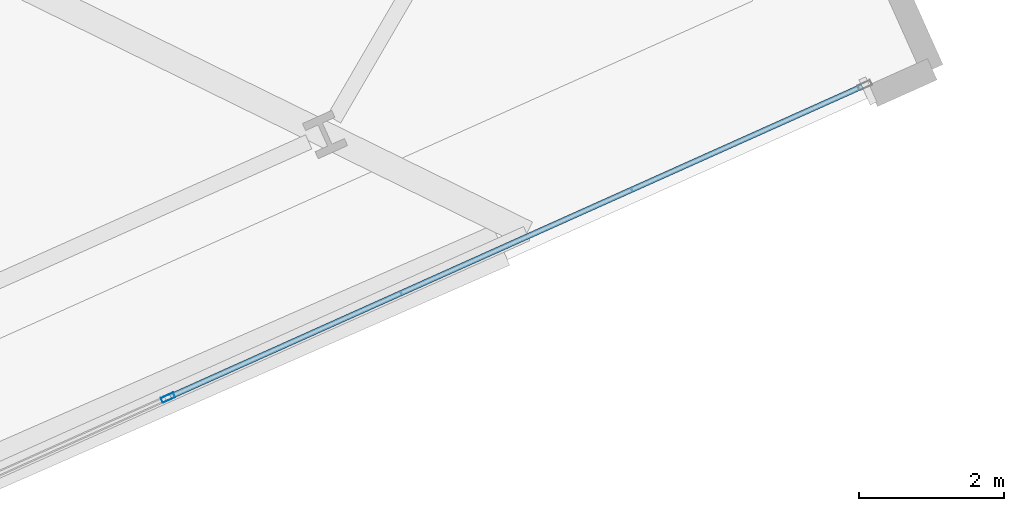
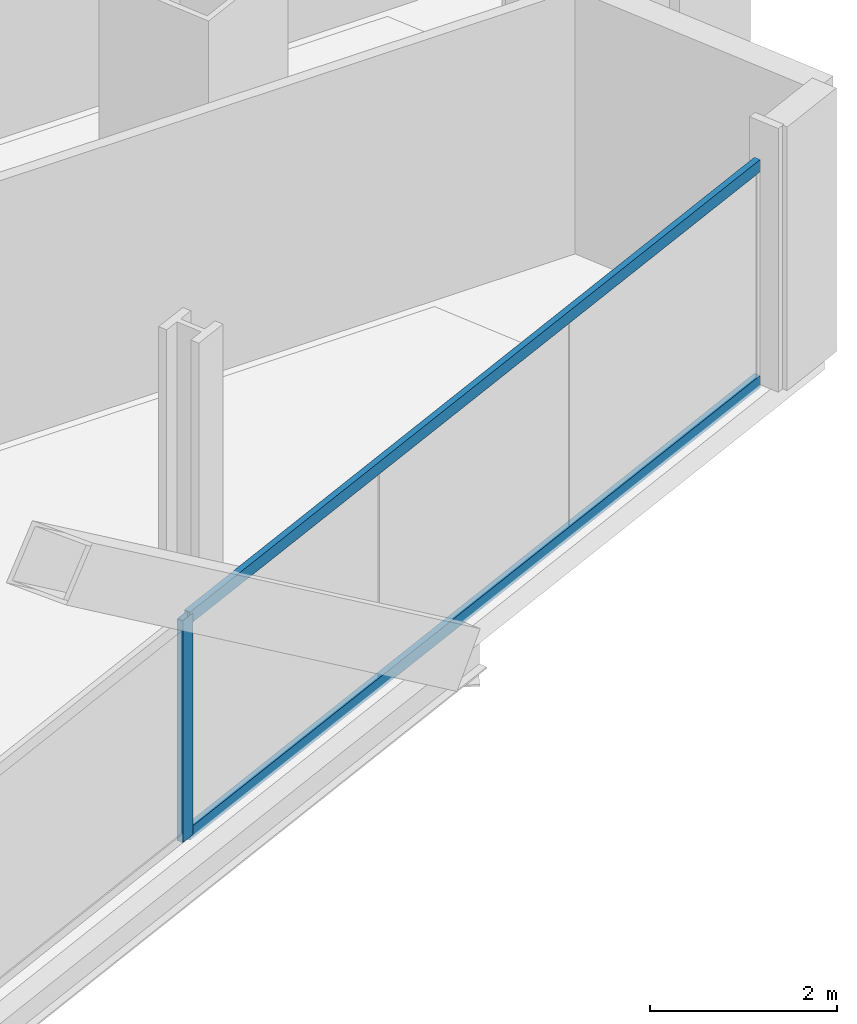
# One storey, part 10 of 38: 3 members, 1 element without a shape of its own.
"""IFC4 building model written with IfcOpenShell, lengths in metres."""

from ifc_helpers import new_model, si_unit, direction, frame, origin, origin_2d, place, context, subcontext, project, spatial, hollow_rectangle, extrude, material, material_profile, profile_set, type_object, element, aggregate, save


model = new_model("IFC4")

# Units and contexts
model_context = context("Model", 3, precision=1e-05, world=origin(), true_north=direction((0.0, 1.0)))
body_context = subcontext(model_context, "Body", "Model", "MODEL_VIEW")
ifc_project = project(units=[si_unit("LENGTHUNIT", "METRE"), si_unit("AREAUNIT", "SQUARE_METRE"), si_unit("VOLUMEUNIT", "CUBIC_METRE"), si_unit("PLANEANGLEUNIT", "RADIAN"), si_unit("MASSUNIT", "GRAM", prefix="KILO")], contexts=[model_context])

# Site, building, storey
site_placement = place(None, origin())
site = spatial("IfcSite", under=ifc_project, at=site_placement, CompositionType="ELEMENT")
building_placement = place(site_placement, origin())
building = spatial("IfcBuilding", under=site, at=building_placement, Name="Haldenkirk Collegiate Tower", CompositionType="ELEMENT")
storey_placement = place(building_placement, frame((0.0, 0.0, 109.199951171875)))
storey = spatial("IfcBuildingStorey", under=building, at=storey_placement, Name="L26", CompositionType="ELEMENT", Elevation=109.199951171875)

# Curtain wall, members
ifc_material = material(Name="Anodised architectural bronze aluminium", Category="aluminium")
curtain_wall_type = type_object("IfcCurtainWallType", Name="CW-SYS2-CONCAVE", PredefinedType="USERDEFINED", material=ifc_material)
curtain_wall_placement = place(storey_placement, origin())
curtain_wall = element("IfcCurtainWall", 1, at=curtain_wall_placement, inside=storey, type_object=curtain_wall_type, Name="L26 South concave recessed bronze-anodised curtain wall", ObjectType="UNITISED CURTAIN WALL", PredefinedType="USERDEFINED")
ifc_material_profile_1 = material_profile(ifc_material, hollow_rectangle(XDim=0.074951171875, YDim=0.18994140625, WallThickness=0.0048828125, at=origin_2d()), Name="CW-MUL-02")
ifc_profile_set_1 = profile_set([ifc_material_profile_1], Name="Anodised architectural bronze aluminium")
member_type_1 = type_object("IfcMemberType", Name="CW-MUL-02", PredefinedType="MULLION", material=ifc_profile_set_1)
member_1_placement = place(storey_placement, frame((55.57666015625, 8.124755859375, 0.0), z_axis=(0.0, 0.0, 1.0), x_axis=(0.409127344707, -0.912477296053, 0.0)))
member_1 = element("IfcMember", 2, at=member_1_placement, type_object=member_type_1, Name="CW-02 mullion 2", PredefinedType="MULLION", context=body_context, shape_type="SweptSolid", body=[
    extrude(hollow_rectangle(XDim=0.074951171875, YDim=0.18994140625, WallThickness=0.0048828125, at=origin_2d()), origin(), (0.0, 0.0, 1.0), 2.901123046875),
])
ifc_material_profile_2 = material_profile(ifc_material, hollow_rectangle(XDim=0.074951171875, YDim=0.159912109375, WallThickness=0.0048828125, at=origin_2d()), Name="CW-TRN-02")
ifc_profile_set_2 = profile_set([ifc_material_profile_2], Name="Anodised architectural bronze aluminium")
member_type_2 = type_object("IfcMemberType", Name="CW-TRN-02", PredefinedType="USERDEFINED", material=ifc_profile_set_2)
member_2_placement = place(storey_placement, frame((65.134765625, 12.410400390625, 0.03759765625), z_axis=(-0.912476504931, -0.409129109145, 0.0), x_axis=(0.409129109145, -0.912476504931, 0.0)))
member_2 = element("IfcMember", 3, at=member_2_placement, type_object=member_type_2, Name="CW-02 transom 1.1", ObjectType="TRANSOM", PredefinedType="USERDEFINED", context=body_context, shape_type="SweptSolid", body=[
    extrude(hollow_rectangle(XDim=0.074951171875, YDim=0.159912109375, WallThickness=0.0048828125, at=origin_2d()), origin(), (0.0, 0.0, 1.0), 10.4375),
])
member_3_placement = place(storey_placement, frame((65.134765625, 12.410400390625, 2.863525390625), z_axis=(-0.912476504931, -0.409129109145, 0.0), x_axis=(0.409129109145, -0.912476504931, 0.0)))
member_3 = element("IfcMember", 4, at=member_3_placement, type_object=member_type_2, Name="CW-02 transom 1.2", ObjectType="TRANSOM", PredefinedType="USERDEFINED", context=body_context, shape_type="SweptSolid", body=[
    extrude(hollow_rectangle(XDim=0.074951171875, YDim=0.159912109375, WallThickness=0.0048828125, at=origin_2d()), origin(), (0.0, 0.0, 1.0), 10.4375),
])
aggregate(curtain_wall, [member_1, member_2, member_3])

save(model, "model.ifc")
